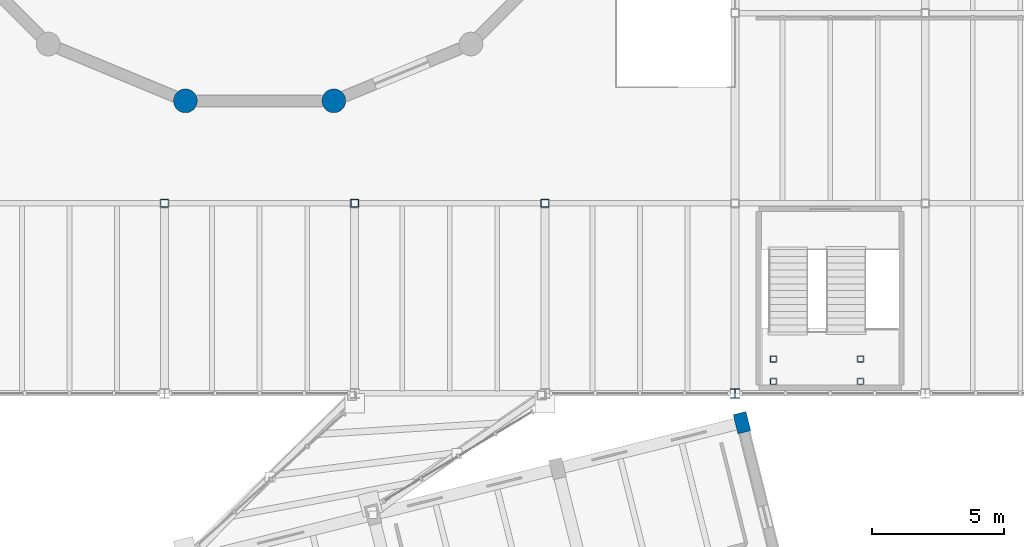
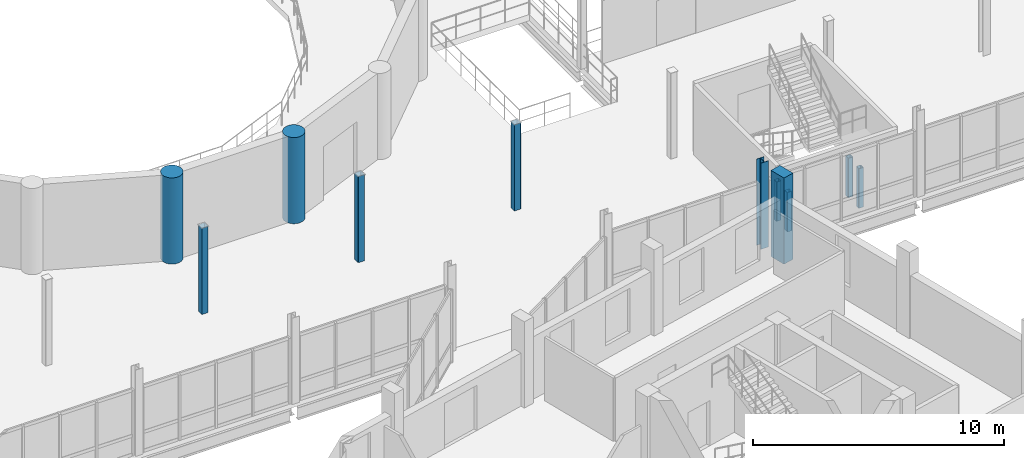
# One storey, part 6 of 72: 11 columns.
"""IFC4 building model written with IfcOpenShell, lengths in metres."""

from ifc_helpers import new_model, si_unit, direction, frame, origin, origin_2d, place, context, subcontext, project, spatial, rectangle, hollow_rectangle, circle, i_section, extrude, material, material_profile, profile_set, type_object, element, save


model = new_model("IFC4")

# Units and contexts
model_context = context("Model", 3, precision=1e-05, world=origin(), true_north=direction((0.0, 1.0)))
body_context = subcontext(model_context, "Body", "Model", "MODEL_VIEW")
ifc_project = project(units=[si_unit("LENGTHUNIT", "METRE"), si_unit("AREAUNIT", "SQUARE_METRE"), si_unit("VOLUMEUNIT", "CUBIC_METRE"), si_unit("PLANEANGLEUNIT", "RADIAN"), si_unit("MASSUNIT", "GRAM", prefix="KILO")], contexts=[model_context])

# Site, building, storey
site_placement = place(None, origin())
site = spatial("IfcSite", under=ifc_project, at=site_placement, CompositionType="ELEMENT")
building_placement = place(site_placement, origin())
building = spatial("IfcBuilding", under=site, at=building_placement, Name="Qiaolan Assembly House", CompositionType="ELEMENT")
storey_placement = place(building_placement, frame((0.0, 0.0, 10.199951171875)))
storey = spatial("IfcBuildingStorey", under=building, at=storey_placement, Name="L02", CompositionType="ELEMENT", Elevation=10.199951171875)

# Columns
ifc_material_1 = material(Name="Concrete C50/60", Category="concrete")
ifc_material_profile_1 = material_profile(ifc_material_1, circle(Radius=0.449951171875, at=origin_2d()), Name="CIRC D900")
ifc_profile_set_1 = profile_set([ifc_material_profile_1], Name="Concrete C50/60")
column_type_1 = type_object("IfcColumnType", Name="COL-DRUM-D900", PredefinedType="COLUMN", material=ifc_profile_set_1)
for number, where, z_axis, x_axis, name in (
    (1, (65.5908203125, 47.07666015625, 0.0), (0.0, 0.0, 1.0), (1.0, 0.0, 0.0), "DC-03 chamber drum pier 12 L02"),
    (2, (71.209228515625, 47.07666015625, 0.0), (0.0, 0.0, 1.0), (1.0, 0.0, 0.0), "DC-03 chamber drum pier 13 L02"),
):
    element("IfcColumn", number, at=place(storey_placement, frame(where, z_axis=z_axis, x_axis=x_axis)), inside=storey, type_object=column_type_1, Name=name, PredefinedType="COLUMN", context=body_context, shape_type="SweptSolid", body=[
        extrude(circle(Radius=0.449951171875, at=origin_2d()), origin(), (0.0, 0.0, 1.0), 4.199951171875),
    ])
ifc_material_2 = material(Name="Concrete C45/55", Category="concrete")
ifc_material_profile_2 = material_profile(ifc_material_2, rectangle(XDim=0.5, YDim=0.75, at=origin_2d()), Name="RC 750x500")
ifc_profile_set_2 = profile_set([ifc_material_profile_2], Name="Concrete C45/55")
column_type_2 = type_object("IfcColumnType", Name="COL-RC-750x500", PredefinedType="COLUMN", material=ifc_profile_set_2)
column_1_placement = place(storey_placement, frame((86.66357421875, 34.89306640625, 0.0), z_axis=(0.0, 0.0, 1.0), x_axis=(0.970295726276, 0.2419218956, 0.0)))
element("IfcColumn", 3, at=column_1_placement, inside=storey, type_object=column_type_2, Name="RC-15 splayed column SE L02", PredefinedType="COLUMN", context=body_context, shape_type="SweptSolid", body=[
    extrude(rectangle(XDim=0.5, YDim=0.75, at=origin_2d()), origin(), (0.0, 0.0, 1.0), 4.199951171875),
])
ifc_material_3 = material(Name="Steel Q355B", Category="steel")
ifc_material_profile_3 = material_profile(ifc_material_3, i_section(OverallWidth=0.35009765625, OverallDepth=0.35009765625, WebThickness=0.011962890625, FlangeThickness=0.01904296875, FilletRadius=0.02001953125, at=origin_2d()), Name="HW 350x350x12x19")
ifc_profile_set_3 = profile_set([ifc_material_profile_3], Name="Steel Q355B")
column_type_3 = type_object("IfcColumnType", Name="COL-STL-HW350", PredefinedType="COLUMN", material=ifc_profile_set_3)
column_2_placement = place(storey_placement, frame((86.39990234375, 36.0, 0.0), z_axis=(0.0, 0.0, 1.0), x_axis=(1.0, 0.0, 0.0)))
element("IfcColumn", 4, at=column_2_placement, inside=storey, type_object=column_type_3, Name="SC-02 hall column L02", PredefinedType="COLUMN", context=body_context, shape_type="SweptSolid", body=[
    extrude(i_section(OverallWidth=0.35009765625, OverallDepth=0.35009765625, WebThickness=0.011962890625, FlangeThickness=0.01904296875, FilletRadius=0.02001953125, at=origin_2d()), origin(), (0.0, 0.0, 1.0), 4.199951171875),
])
ifc_material_profile_4 = material_profile(ifc_material_3, hollow_rectangle(XDim=0.219970703125, YDim=0.219970703125, WallThickness=0.010009765625, InnerFilletRadius=0.010009765625, OuterFilletRadius=0.02001953125, at=origin_2d()), Name="SHS 220x220x10")
ifc_profile_set_4 = profile_set([ifc_material_profile_4], Name="Steel Q355B")
column_type_4 = type_object("IfcColumnType", Name="COL-STL-SHS220", PredefinedType="COLUMN", material=ifc_profile_set_4)
for number, where, z_axis, x_axis, name in (
    (5, (87.85009765625, 36.449951171875, 0.0), (0.0, 0.0, 1.0), (1.0, 0.0, 0.0), "SC-08 foyer stair L02 column F2-1"),
    (6, (91.14990234375, 36.449951171875, 0.0), (0.0, 0.0, 1.0), (1.0, 0.0, 0.0), "SC-08 foyer stair L02 column F2-2"),
    (7, (87.85009765625, 37.300048828125, 0.0), (0.0, 0.0, 1.0), (1.0, 0.0, 0.0), "SC-08 foyer stair L02 column F2-3"),
    (8, (91.14990234375, 37.300048828125, 0.0), (0.0, 0.0, 1.0), (1.0, 0.0, 0.0), "SC-08 foyer stair L02 column F2-4"),
):
    element("IfcColumn", number, at=place(storey_placement, frame(where, z_axis=z_axis, x_axis=x_axis)), inside=storey, type_object=column_type_4, Name=name, PredefinedType="COLUMN", context=body_context, shape_type="SweptSolid", body=[
        extrude(hollow_rectangle(XDim=0.219970703125, YDim=0.219970703125, WallThickness=0.010009765625, InnerFilletRadius=0.010009765625, OuterFilletRadius=0.02001953125, at=origin_2d()), origin(), (0.0, 0.0, 1.0), 1.920166015625),
    ])
ifc_material_profile_5 = material_profile(ifc_material_3, hollow_rectangle(XDim=0.300048828125, YDim=0.300048828125, WallThickness=0.011962890625, InnerFilletRadius=0.011962890625, OuterFilletRadius=0.02392578125, at=origin_2d()), Name="SHS 300x300x12")
ifc_profile_set_5 = profile_set([ifc_material_profile_5], Name="Steel Q355B")
column_type_5 = type_object("IfcColumnType", Name="COL-STL-SHS300", PredefinedType="COLUMN", material=ifc_profile_set_5)
for number, where, z_axis, x_axis, name in (
    (9, (64.800048828125, 43.199951171875, 0.0), (0.0, 0.0, 1.0), (1.0, 0.0, 0.0), "SC-05 hall column L02"),
    (10, (72.0, 43.199951171875, 0.0), (0.0, 0.0, 1.0), (1.0, 0.0, 0.0), "SC-05 hall column L02"),
    (11, (79.199951171875, 43.199951171875, 0.0), (0.0, 0.0, 1.0), (1.0, 0.0, 0.0), "SC-05 hall column L02"),
):
    element("IfcColumn", number, at=place(storey_placement, frame(where, z_axis=z_axis, x_axis=x_axis)), inside=storey, type_object=column_type_5, Name=name, PredefinedType="COLUMN", context=body_context, shape_type="SweptSolid", body=[
        extrude(hollow_rectangle(XDim=0.300048828125, YDim=0.300048828125, WallThickness=0.011962890625, InnerFilletRadius=0.011962890625, OuterFilletRadius=0.02392578125, at=origin_2d()), origin(), (0.0, 0.0, 1.0), 4.199951171875),
    ])

save(model, "model.ifc")
